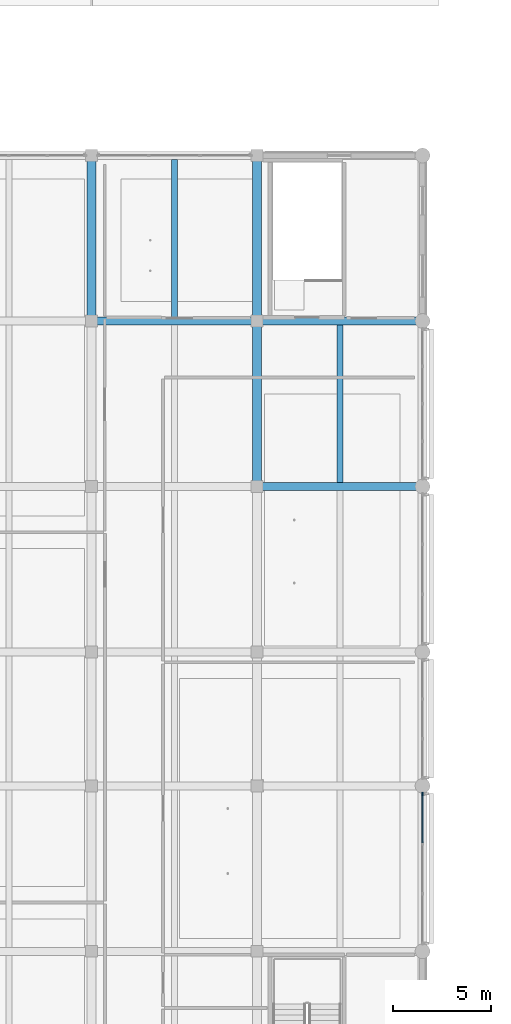
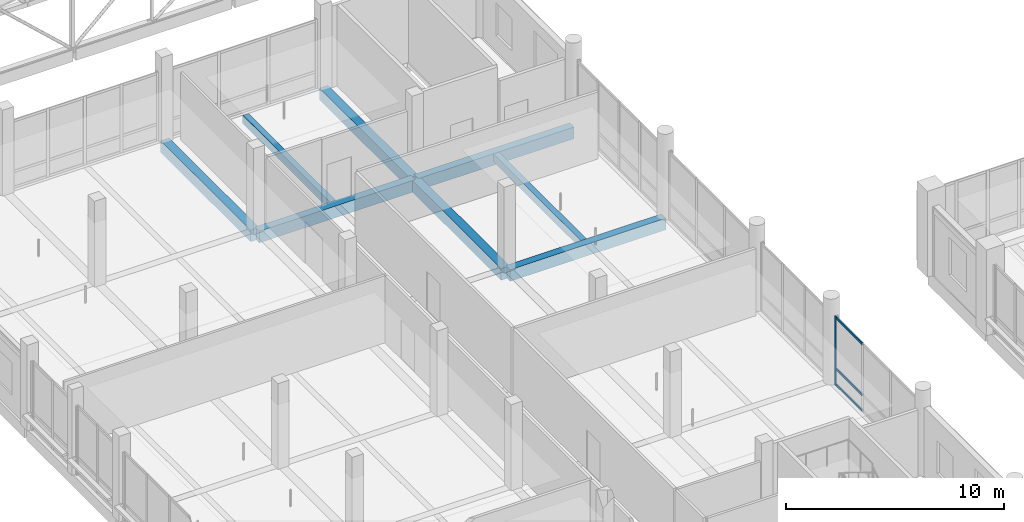
# One storey, part 13 of 122: 8 beams, 4 members, 1 element without a shape of its own.
"""IFC4 building model written with IfcOpenShell, lengths in metres."""

from ifc_helpers import new_model, si_unit, direction, frame, origin, origin_2d, place, context, subcontext, project, spatial, rectangle, extrude, material, layer, layer_set, material_profile, profile_set, type_object, element, aggregate, save


model = new_model("IFC4")

# Units and contexts
model_context = context("Model", 3, precision=1e-05, world=origin(), true_north=direction((0.0, 1.0)))
body_context = subcontext(model_context, "Body", "Model", "MODEL_VIEW")
ifc_project = project(units=[si_unit("LENGTHUNIT", "METRE"), si_unit("AREAUNIT", "SQUARE_METRE"), si_unit("VOLUMEUNIT", "CUBIC_METRE"), si_unit("PLANEANGLEUNIT", "RADIAN"), si_unit("MASSUNIT", "GRAM", prefix="KILO")], contexts=[model_context])

# Site, building, storey
site_placement = place(None, origin())
site = spatial("IfcSite", under=ifc_project, at=site_placement, CompositionType="ELEMENT")
building_placement = place(site_placement, origin())
building = spatial("IfcBuilding", under=site, at=building_placement, Name="Telukmera Botanical Conservatory", CompositionType="ELEMENT")
storey_placement = place(building_placement, frame((0.0, 0.0, 10.199951171875)))
storey = spatial("IfcBuildingStorey", under=building, at=storey_placement, Name="L02", CompositionType="ELEMENT", Elevation=10.199951171875)

# Beams
ifc_material_1 = material(Name="Concrete C40/50", Category="concrete")
ifc_material_profile_1 = material_profile(ifc_material_1, rectangle(XDim=0.449951171875, YDim=0.64990234375, at=origin_2d()), Name="RC 450x650")
ifc_profile_set_1 = profile_set([ifc_material_profile_1], Name="Concrete C40/50")
beam_type_1 = type_object("IfcBeamType", Name="Beam_B16", PredefinedType="BEAM", material=ifc_profile_set_1)
for number, where, z_axis, x_axis, name in (
    (1, (25.199951171875, 66.47998046875, -0.324951171875), (0.0, 1.0, 0.0), (-1.0, 0.0, 0.0), "Visitor Wing Transverse Beam L02"),
    (2, (33.60009765625, 58.080078125, -0.324951171875), (0.0, 1.0, 0.0), (-1.0, 0.0, 0.0), "Visitor Wing Transverse Beam L02"),
    (3, (33.60009765625, 66.47998046875, -0.324951171875), (0.0, 1.0, 0.0), (-1.0, 0.0, 0.0), "Visitor Wing Transverse Beam L02"),
):
    element("IfcBeam", number, at=place(storey_placement, frame(where, z_axis=z_axis, x_axis=x_axis)), inside=storey, type_object=beam_type_1, Name=name, PredefinedType="BEAM", context=body_context, shape_type="SweptSolid", body=[
        extrude(rectangle(XDim=0.449951171875, YDim=0.64990234375, at=origin_2d()), origin(), (0.0, 0.0, 1.0), 8.239990234375),
    ])
ifc_material_profile_2 = material_profile(ifc_material_1, rectangle(XDim=0.300048828125, YDim=0.449951171875, at=origin_2d()), Name="RC 300x450")
ifc_profile_set_2 = profile_set([ifc_material_profile_2], Name="Concrete C40/50")
beam_type_2 = type_object("IfcBeamType", Name="Beam_B25", PredefinedType="JOIST", material=ifc_profile_set_2)
for number, where, z_axis, x_axis, name in (
    (4, (29.39990234375, 66.60009765625, -0.224853515625), (0.0, 1.0, 0.0), (-1.0, 0.0, 0.0), "Visitor Wing Floor Joist L02"),
    (5, (37.800048828125, 58.199951171875, -0.224853515625), (0.0, 1.0, 0.0), (-1.0, 0.0, 0.0), "Visitor Wing Floor Joist L02"),
):
    element("IfcBeam", number, at=place(storey_placement, frame(where, z_axis=z_axis, x_axis=x_axis)), inside=storey, type_object=beam_type_2, Name=name, PredefinedType="JOIST", context=body_context, shape_type="SweptSolid", body=[
        extrude(rectangle(XDim=0.300048828125, YDim=0.449951171875, at=origin_2d()), origin(), (0.0, 0.0, 1.0), 8.0),
    ])
ifc_material_profile_3 = material_profile(ifc_material_1, rectangle(XDim=0.39990234375, YDim=0.64990234375, at=origin_2d()), Name="RC 400x650")
ifc_profile_set_3 = profile_set([ifc_material_profile_3], Name="Concrete C40/50")
beam_type_3 = type_object("IfcBeamType", Name="Beam_B8", PredefinedType="BEAM", material=ifc_profile_set_3)
for number, where, z_axis, x_axis, name in (
    (6, (33.679931640625, 58.0, -0.324951171875), (1.0, 0.0, 0.0), (0.0, 1.0, 0.0), "Visitor Wing Grid Beam L02"),
    (7, (25.280029296875, 66.39990234375, -0.324951171875), (1.0, 0.0, 0.0), (0.0, 1.0, 0.0), "Visitor Wing Grid Beam L02"),
    (8, (33.679931640625, 66.39990234375, -0.324951171875), (1.0, 0.0, 0.0), (0.0, 1.0, 0.0), "Visitor Wing Grid Beam L02"),
):
    element("IfcBeam", number, at=place(storey_placement, frame(where, z_axis=z_axis, x_axis=x_axis)), inside=storey, type_object=beam_type_3, Name=name, PredefinedType="BEAM", context=body_context, shape_type="SweptSolid", body=[
        extrude(rectangle(XDim=0.39990234375, YDim=0.64990234375, at=origin_2d()), origin(), (0.0, 0.0, 1.0), 8.239990234375),
    ])

# Curtain wall, members
ifc_material_2 = material(Name="Anodised aluminium 6063-T6", Category="aluminium")
ifc_layer = layer(ifc_material_2, 0.179931640625)
ifc_layer_set = layer_set([ifc_layer], Name="Anodised aluminium 6063-T6")
curtain_wall_type = type_object("IfcCurtainWallType", Name="Visitor Gallery Second Floor Curtain Wall 2400 Mod", PredefinedType="USERDEFINED", material=ifc_layer_set)
curtain_wall_placement = place(storey_placement, origin())
curtain_wall = element("IfcCurtainWall", 9, at=curtain_wall_placement, inside=storey, type_object=curtain_wall_type, Name="Unitised Curtain Wall CW09 V3:L02:E3", ObjectType="UNITISED CURTAIN WALL", PredefinedType="USERDEFINED")
ifc_material_profile_4 = material_profile(ifc_material_2, rectangle(XDim=0.06494140625, YDim=0.159912109375, at=origin_2d()), Name="ALU MULL 65x160")
ifc_profile_set_4 = profile_set([ifc_material_profile_4], Name="Anodised aluminium 6063-T6")
member_type_1 = type_object("IfcMemberType", Name="Curtain Wall Extruded Mullion 65x160", PredefinedType="MULLION", material=ifc_profile_set_4)
member_1_placement = place(storey_placement, frame((42.0, 42.390380859375, 0.0), z_axis=(0.0, 0.0, 1.0), x_axis=(-1.0, 0.0, 0.0)))
member_1 = element("IfcMember", 10, at=member_1_placement, type_object=member_type_1, Name="CW09 mullion 4", PredefinedType="MULLION", context=body_context, shape_type="SweptSolid", body=[
    extrude(rectangle(XDim=0.06494140625, YDim=0.159912109375, at=origin_2d()), origin(), (0.0, 0.0, 1.0), 3.85009765625),
])
ifc_material_profile_5 = material_profile(ifc_material_2, rectangle(XDim=0.06494140625, YDim=0.1298828125, at=origin_2d()), Name="ALU TRAN 65x130")
ifc_profile_set_5 = profile_set([ifc_material_profile_5], Name="Anodised aluminium 6063-T6")
member_type_2 = type_object("IfcMemberType", Name="Curtain Wall Extruded Transom 65x130", PredefinedType="USERDEFINED", material=ifc_profile_set_5)
member_2_placement = place(storey_placement, frame((42.0, 39.90673828125, 0.06494140625), z_axis=(0.0, 1.0, 0.0), x_axis=(-1.0, 0.0, 0.0)))
member_2 = element("IfcMember", 11, at=member_2_placement, type_object=member_type_2, Name="CW09 transom 3.1", ObjectType="TRANSOM", PredefinedType="USERDEFINED", context=body_context, shape_type="SweptSolid", body=[
    extrude(rectangle(XDim=0.06494140625, YDim=0.1298828125, at=origin_2d()), origin(), (0.0, 0.0, 1.0), 2.451171875),
])
member_3_placement = place(storey_placement, frame((42.0, 39.90673828125, 0.949951171875), z_axis=(0.0, 1.0, 0.0), x_axis=(-1.0, 0.0, 0.0)))
member_3 = element("IfcMember", 12, at=member_3_placement, type_object=member_type_2, Name="CW09 transom 3.2", ObjectType="TRANSOM", PredefinedType="USERDEFINED", context=body_context, shape_type="SweptSolid", body=[
    extrude(rectangle(XDim=0.06494140625, YDim=0.1298828125, at=origin_2d()), origin(), (0.0, 0.0, 1.0), 2.451171875),
])
member_4_placement = place(storey_placement, frame((42.0, 39.90673828125, 3.78515625), z_axis=(0.0, 1.0, 0.0), x_axis=(-1.0, 0.0, 0.0)))
member_4 = element("IfcMember", 13, at=member_4_placement, type_object=member_type_2, Name="CW09 transom 3.3", ObjectType="TRANSOM", PredefinedType="USERDEFINED", context=body_context, shape_type="SweptSolid", body=[
    extrude(rectangle(XDim=0.06494140625, YDim=0.1298828125, at=origin_2d()), origin(), (0.0, 0.0, 1.0), 2.451171875),
])
aggregate(curtain_wall, [member_1, member_2, member_3, member_4])

save(model, "model.ifc")
